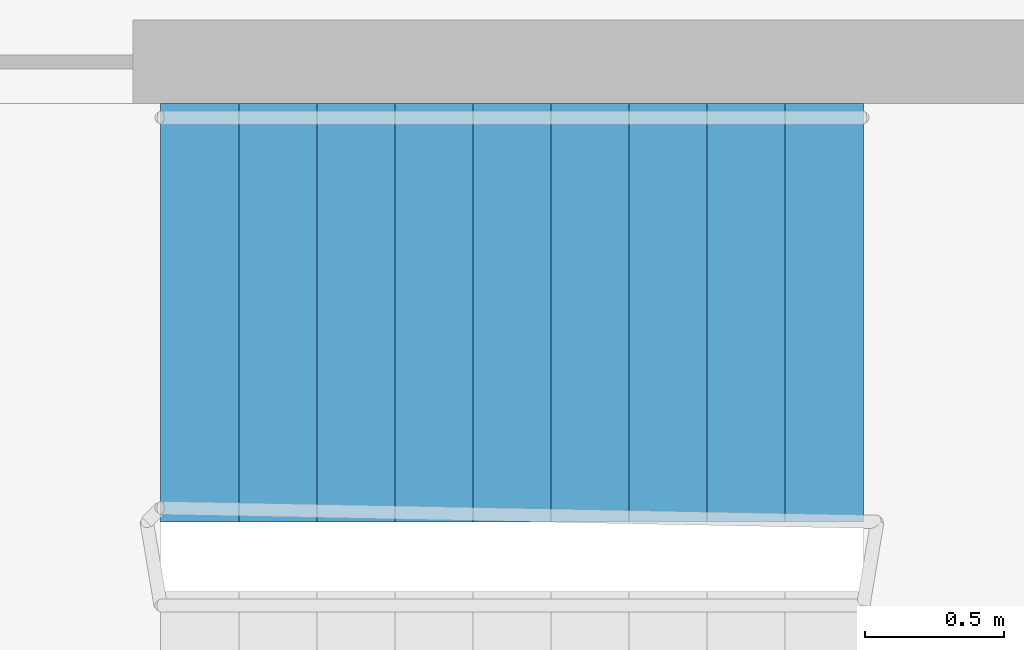
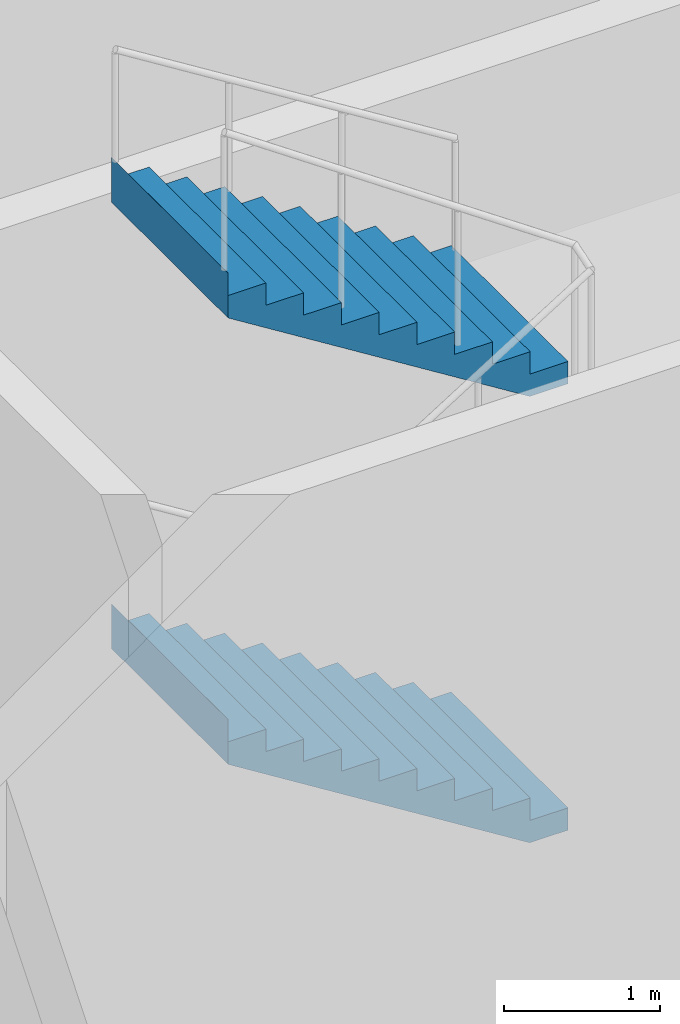
# One storey, part 21 of 23: 2 stair flights, 1 element without a shape of its own.
"""IFC4 building model written with IfcOpenShell, lengths in metres."""

from ifc_helpers import new_model, si_unit, direction, frame, origin, place, context, subcontext, project, spatial, faceted_brep, material, type_object, element, aggregate, save


model = new_model("IFC4")

# Units and contexts
model_context = context("Model", 3, precision=1e-05, world=origin(), true_north=direction((0.0, 1.0)))
body_context = subcontext(model_context, "Body", "Model", "MODEL_VIEW")
ifc_project = project(units=[si_unit("LENGTHUNIT", "METRE"), si_unit("AREAUNIT", "SQUARE_METRE"), si_unit("VOLUMEUNIT", "CUBIC_METRE"), si_unit("PLANEANGLEUNIT", "RADIAN"), si_unit("MASSUNIT", "GRAM", prefix="KILO")], contexts=[model_context])

# Site, building, storey
site_placement = place(None, origin())
site = spatial("IfcSite", under=ifc_project, at=site_placement, CompositionType="ELEMENT")
building_placement = place(site_placement, origin())
building = spatial("IfcBuilding", under=site, at=building_placement, Name="Kajstack Hotel Tower", CompositionType="ELEMENT")
storey_placement = place(building_placement, frame((0.0, 0.0, 53.0)))
storey = spatial("IfcBuildingStorey", under=building, at=storey_placement, Name="L08", CompositionType="ELEMENT", Elevation=53.0)

# Stair, stair flights
ifc_material = material(Name="Concrete C40/50", Category="concrete")
stair_type = type_object("IfcStairType", Name="Exit stair 1500", PredefinedType="HALF_TURN_STAIR", material=ifc_material)
stair_placement = place(storey_placement, origin())
stair = element("IfcStair", 1, at=stair_placement, inside=storey, type_object=stair_type, Name="L08 stair E3", PredefinedType="HALF_TURN_STAIR")
stair_flight_type = type_object("IfcStairFlightType", Name="Exit stair flight 1500", PredefinedType="STRAIGHT", material=ifc_material)
stair_flight_1_placement = place(storey_placement, frame((28.219970703125, 14.449951171875, 1.75), z_axis=(0.0, 0.0, 1.0), x_axis=(-1.0, 0.0, 0.0)))
stair_flight_1 = element("IfcStairFlight", 2, at=stair_flight_1_placement, type_object=stair_flight_type, Name="E3 flight 2", NumberOfRisers=10, NumberOfTreads=9, PredefinedType="STRAIGHT", RiserHeight=0.175, TreadLength=0.28, context=body_context, shape_type="Brep", body=[
    faceted_brep([(0.283447265625, -0.75, 0.0), (2.5205078125, -0.75, 1.398193359375), (2.5205078125, -0.75, 1.75), (2.52001953125, -0.75, 1.75), (2.52001953125, -0.75, 1.574951171875), (2.239990234375, -0.75, 1.574951171875), (2.239990234375, -0.75, 1.39990234375), (1.9599609375, -0.75, 1.39990234375), (1.9599609375, -0.75, 1.22509765625), (1.679931640625, -0.75, 1.22509765625), (1.679931640625, -0.75, 1.050048828125), (1.39990234375, -0.75, 1.050048828125), (1.39990234375, -0.75, 0.875), (1.1201171875, -0.75, 0.875), (1.1201171875, -0.75, 0.699951171875), (0.840087890625, -0.75, 0.699951171875), (0.840087890625, -0.75, 0.52490234375), (0.56005859375, -0.75, 0.52490234375), (0.56005859375, -0.75, 0.35009765625), (0.280029296875, -0.75, 0.35009765625), (0.280029296875, -0.75, 0.175048828125), (-0.00048828125, -0.75, 0.175048828125), (-0.00048828125, -0.75, 0.0), (-0.00048828125, 0.75, 0.0), (-0.00048828125, 0.75, 0.175048828125), (0.280029296875, 0.75, 0.175048828125), (0.280029296875, 0.75, 0.35009765625), (0.56005859375, 0.75, 0.35009765625), (0.56005859375, 0.75, 0.52490234375), (0.840087890625, 0.75, 0.52490234375), (0.840087890625, 0.75, 0.699951171875), (1.1201171875, 0.75, 0.699951171875), (1.1201171875, 0.75, 0.875), (1.39990234375, 0.75, 0.875), (1.39990234375, 0.75, 1.050048828125), (1.679931640625, 0.75, 1.050048828125), (1.679931640625, 0.75, 1.22509765625), (1.9599609375, 0.75, 1.22509765625), (1.9599609375, 0.75, 1.39990234375), (2.239990234375, 0.75, 1.39990234375), (2.239990234375, 0.75, 1.574951171875), (2.52001953125, 0.75, 1.574951171875), (2.52001953125, 0.75, 1.75), (2.5205078125, 0.75, 1.75), (2.5205078125, 0.75, 1.398193359375), (0.283447265625, 0.75, 0.0), (-0.00048828125, -0.375, 0.175048828125), (-0.00048828125, 0.0, 0.175048828125), (-0.00048828125, 0.375, 0.175048828125), (-0.00048828125, 0.375, 0.0), (-0.00048828125, 0.0, 0.0), (-0.00048828125, -0.375, 0.0), (0.280029296875, -0.375, 0.175048828125), (0.280029296875, 0.0, 0.175048828125), (0.280029296875, 0.375, 0.175048828125), (0.280029296875, -0.375, 0.35009765625), (0.280029296875, 0.0, 0.35009765625), (0.280029296875, 0.375, 0.35009765625), (0.56005859375, -0.375, 0.35009765625), (0.56005859375, 0.0, 0.35009765625), (0.56005859375, 0.375, 0.35009765625), (0.56005859375, -0.375, 0.52490234375), (0.56005859375, 0.0, 0.52490234375), (0.56005859375, 0.375, 0.52490234375), (0.840087890625, -0.375, 0.52490234375), (0.840087890625, 0.0, 0.52490234375), (0.840087890625, 0.375, 0.52490234375), (0.840087890625, -0.375, 0.699951171875), (0.840087890625, 0.0, 0.699951171875), (0.840087890625, 0.375, 0.699951171875), (1.1201171875, -0.375, 0.699951171875), (1.1201171875, 0.0, 0.699951171875), (1.1201171875, 0.375, 0.699951171875), (1.1201171875, -0.375, 0.875), (1.1201171875, 0.0, 0.875), (1.1201171875, 0.375, 0.875), (1.39990234375, -0.375, 0.875), (1.39990234375, 0.0, 0.875), (1.39990234375, 0.375, 0.875), (1.39990234375, -0.375, 1.050048828125), (1.39990234375, 0.0, 1.050048828125), (1.39990234375, 0.375, 1.050048828125), (1.679931640625, -0.375, 1.050048828125), (1.679931640625, 0.0, 1.050048828125), (1.679931640625, 0.375, 1.050048828125), (1.679931640625, -0.375, 1.22509765625), (1.679931640625, 0.0, 1.22509765625), (1.679931640625, 0.375, 1.22509765625), (1.9599609375, -0.375, 1.22509765625), (1.9599609375, 0.0, 1.22509765625), (1.9599609375, 0.375, 1.22509765625), (1.9599609375, -0.375, 1.39990234375), (1.9599609375, 0.0, 1.39990234375), (1.9599609375, 0.375, 1.39990234375), (2.239990234375, -0.375, 1.39990234375), (2.239990234375, 0.0, 1.39990234375), (2.239990234375, 0.375, 1.39990234375), (2.239990234375, -0.375, 1.574951171875), (2.239990234375, 0.0, 1.574951171875), (2.239990234375, 0.375, 1.574951171875), (2.52001953125, -0.375, 1.574951171875), (2.52001953125, 0.0, 1.574951171875), (2.52001953125, 0.375, 1.574951171875), (2.52001953125, -0.375, 1.75), (2.52001953125, 0.0, 1.75), (2.52001953125, 0.375, 1.75), (2.5205078125, -0.375, 1.75), (2.5205078125, 0.0, 1.75), (2.5205078125, 0.375, 1.75), (2.5205078125, -0.375, 1.398193359375), (2.5205078125, 0.0, 1.398193359375), (2.5205078125, 0.375, 1.398193359375), (0.283447265625, -0.375, 0.0), (0.283447265625, 0.0, 0.0), (0.283447265625, 0.375, 0.0)], [[[0, 1, 2, 3, 4, 5, 6, 7, 8, 9, 10, 11, 12, 13, 14, 15, 16, 17, 18, 19, 20, 21, 22]], [[23, 24, 25, 26, 27, 28, 29, 30, 31, 32, 33, 34, 35, 36, 37, 38, 39, 40, 41, 42, 43, 44, 45]], [[21, 46, 47, 48, 24, 23, 49, 50, 51, 22]], [[20, 52, 53, 54, 25, 24, 48, 47, 46, 21]], [[19, 55, 56, 57, 26, 25, 54, 53, 52, 20]], [[18, 58, 59, 60, 27, 26, 57, 56, 55, 19]], [[17, 61, 62, 63, 28, 27, 60, 59, 58, 18]], [[16, 64, 65, 66, 29, 28, 63, 62, 61, 17]], [[15, 67, 68, 69, 30, 29, 66, 65, 64, 16]], [[14, 70, 71, 72, 31, 30, 69, 68, 67, 15]], [[13, 73, 74, 75, 32, 31, 72, 71, 70, 14]], [[12, 76, 77, 78, 33, 32, 75, 74, 73, 13]], [[11, 79, 80, 81, 34, 33, 78, 77, 76, 12]], [[10, 82, 83, 84, 35, 34, 81, 80, 79, 11]], [[9, 85, 86, 87, 36, 35, 84, 83, 82, 10]], [[8, 88, 89, 90, 37, 36, 87, 86, 85, 9]], [[7, 91, 92, 93, 38, 37, 90, 89, 88, 8]], [[6, 94, 95, 96, 39, 38, 93, 92, 91, 7]], [[5, 97, 98, 99, 40, 39, 96, 95, 94, 6]], [[4, 100, 101, 102, 41, 40, 99, 98, 97, 5]], [[3, 103, 104, 105, 42, 41, 102, 101, 100, 4]], [[2, 106, 107, 108, 43, 42, 105, 104, 103, 3]], [[1, 109, 110, 111, 44, 43, 108, 107, 106, 2]], [[0, 112, 113, 114, 45, 44, 111, 110, 109, 1]], [[22, 51, 50, 49, 23, 45, 114, 113, 112, 0]]]),
])
stair_flight_2_placement = place(storey_placement, frame((28.219970703125, 14.449951171875, 5.25), z_axis=(0.0, 0.0, 1.0), x_axis=(-1.0, 0.0, 0.0)))
stair_flight_2 = element("IfcStairFlight", 3, at=stair_flight_2_placement, type_object=stair_flight_type, Name="E3 flight 4", NumberOfRisers=10, NumberOfTreads=9, PredefinedType="STRAIGHT", RiserHeight=0.175, TreadLength=0.28, context=body_context, shape_type="Brep", body=[
    faceted_brep([(0.283447265625, -0.75, 0.0), (2.5205078125, -0.75, 1.398193359375), (2.5205078125, -0.75, 1.75), (2.52001953125, -0.75, 1.75), (2.52001953125, -0.75, 1.574951171875), (2.239990234375, -0.75, 1.574951171875), (2.239990234375, -0.75, 1.39990234375), (1.9599609375, -0.75, 1.39990234375), (1.9599609375, -0.75, 1.22509765625), (1.679931640625, -0.75, 1.22509765625), (1.679931640625, -0.75, 1.050048828125), (1.39990234375, -0.75, 1.050048828125), (1.39990234375, -0.75, 0.875), (1.1201171875, -0.75, 0.875), (1.1201171875, -0.75, 0.699951171875), (0.840087890625, -0.75, 0.699951171875), (0.840087890625, -0.75, 0.52490234375), (0.56005859375, -0.75, 0.52490234375), (0.56005859375, -0.75, 0.35009765625), (0.280029296875, -0.75, 0.35009765625), (0.280029296875, -0.75, 0.175048828125), (-0.00048828125, -0.75, 0.175048828125), (-0.00048828125, -0.75, 0.0), (-0.00048828125, 0.75, 0.0), (-0.00048828125, 0.75, 0.175048828125), (0.280029296875, 0.75, 0.175048828125), (0.280029296875, 0.75, 0.35009765625), (0.56005859375, 0.75, 0.35009765625), (0.56005859375, 0.75, 0.52490234375), (0.840087890625, 0.75, 0.52490234375), (0.840087890625, 0.75, 0.699951171875), (1.1201171875, 0.75, 0.699951171875), (1.1201171875, 0.75, 0.875), (1.39990234375, 0.75, 0.875), (1.39990234375, 0.75, 1.050048828125), (1.679931640625, 0.75, 1.050048828125), (1.679931640625, 0.75, 1.22509765625), (1.9599609375, 0.75, 1.22509765625), (1.9599609375, 0.75, 1.39990234375), (2.239990234375, 0.75, 1.39990234375), (2.239990234375, 0.75, 1.574951171875), (2.52001953125, 0.75, 1.574951171875), (2.52001953125, 0.75, 1.75), (2.5205078125, 0.75, 1.75), (2.5205078125, 0.75, 1.398193359375), (0.283447265625, 0.75, 0.0), (-0.00048828125, -0.375, 0.175048828125), (-0.00048828125, 0.0, 0.175048828125), (-0.00048828125, 0.375, 0.175048828125), (-0.00048828125, 0.375, 0.0), (-0.00048828125, 0.0, 0.0), (-0.00048828125, -0.375, 0.0), (0.280029296875, -0.375, 0.175048828125), (0.280029296875, 0.0, 0.175048828125), (0.280029296875, 0.375, 0.175048828125), (0.280029296875, -0.375, 0.35009765625), (0.280029296875, 0.0, 0.35009765625), (0.280029296875, 0.375, 0.35009765625), (0.56005859375, -0.375, 0.35009765625), (0.56005859375, 0.0, 0.35009765625), (0.56005859375, 0.375, 0.35009765625), (0.56005859375, -0.375, 0.52490234375), (0.56005859375, 0.0, 0.52490234375), (0.56005859375, 0.375, 0.52490234375), (0.840087890625, -0.375, 0.52490234375), (0.840087890625, 0.0, 0.52490234375), (0.840087890625, 0.375, 0.52490234375), (0.840087890625, -0.375, 0.699951171875), (0.840087890625, 0.0, 0.699951171875), (0.840087890625, 0.375, 0.699951171875), (1.1201171875, -0.375, 0.699951171875), (1.1201171875, 0.0, 0.699951171875), (1.1201171875, 0.375, 0.699951171875), (1.1201171875, -0.375, 0.875), (1.1201171875, 0.0, 0.875), (1.1201171875, 0.375, 0.875), (1.39990234375, -0.375, 0.875), (1.39990234375, 0.0, 0.875), (1.39990234375, 0.375, 0.875), (1.39990234375, -0.375, 1.050048828125), (1.39990234375, 0.0, 1.050048828125), (1.39990234375, 0.375, 1.050048828125), (1.679931640625, -0.375, 1.050048828125), (1.679931640625, 0.0, 1.050048828125), (1.679931640625, 0.375, 1.050048828125), (1.679931640625, -0.375, 1.22509765625), (1.679931640625, 0.0, 1.22509765625), (1.679931640625, 0.375, 1.22509765625), (1.9599609375, -0.375, 1.22509765625), (1.9599609375, 0.0, 1.22509765625), (1.9599609375, 0.375, 1.22509765625), (1.9599609375, -0.375, 1.39990234375), (1.9599609375, 0.0, 1.39990234375), (1.9599609375, 0.375, 1.39990234375), (2.239990234375, -0.375, 1.39990234375), (2.239990234375, 0.0, 1.39990234375), (2.239990234375, 0.375, 1.39990234375), (2.239990234375, -0.375, 1.574951171875), (2.239990234375, 0.0, 1.574951171875), (2.239990234375, 0.375, 1.574951171875), (2.52001953125, -0.375, 1.574951171875), (2.52001953125, 0.0, 1.574951171875), (2.52001953125, 0.375, 1.574951171875), (2.52001953125, -0.375, 1.75), (2.52001953125, 0.0, 1.75), (2.52001953125, 0.375, 1.75), (2.5205078125, -0.375, 1.75), (2.5205078125, 0.0, 1.75), (2.5205078125, 0.375, 1.75), (2.5205078125, -0.375, 1.398193359375), (2.5205078125, 0.0, 1.398193359375), (2.5205078125, 0.375, 1.398193359375), (0.283447265625, -0.375, 0.0), (0.283447265625, 0.0, 0.0), (0.283447265625, 0.375, 0.0)], [[[0, 1, 2, 3, 4, 5, 6, 7, 8, 9, 10, 11, 12, 13, 14, 15, 16, 17, 18, 19, 20, 21, 22]], [[23, 24, 25, 26, 27, 28, 29, 30, 31, 32, 33, 34, 35, 36, 37, 38, 39, 40, 41, 42, 43, 44, 45]], [[21, 46, 47, 48, 24, 23, 49, 50, 51, 22]], [[20, 52, 53, 54, 25, 24, 48, 47, 46, 21]], [[19, 55, 56, 57, 26, 25, 54, 53, 52, 20]], [[18, 58, 59, 60, 27, 26, 57, 56, 55, 19]], [[17, 61, 62, 63, 28, 27, 60, 59, 58, 18]], [[16, 64, 65, 66, 29, 28, 63, 62, 61, 17]], [[15, 67, 68, 69, 30, 29, 66, 65, 64, 16]], [[14, 70, 71, 72, 31, 30, 69, 68, 67, 15]], [[13, 73, 74, 75, 32, 31, 72, 71, 70, 14]], [[12, 76, 77, 78, 33, 32, 75, 74, 73, 13]], [[11, 79, 80, 81, 34, 33, 78, 77, 76, 12]], [[10, 82, 83, 84, 35, 34, 81, 80, 79, 11]], [[9, 85, 86, 87, 36, 35, 84, 83, 82, 10]], [[8, 88, 89, 90, 37, 36, 87, 86, 85, 9]], [[7, 91, 92, 93, 38, 37, 90, 89, 88, 8]], [[6, 94, 95, 96, 39, 38, 93, 92, 91, 7]], [[5, 97, 98, 99, 40, 39, 96, 95, 94, 6]], [[4, 100, 101, 102, 41, 40, 99, 98, 97, 5]], [[3, 103, 104, 105, 42, 41, 102, 101, 100, 4]], [[2, 106, 107, 108, 43, 42, 105, 104, 103, 3]], [[1, 109, 110, 111, 44, 43, 108, 107, 106, 2]], [[0, 112, 113, 114, 45, 44, 111, 110, 109, 1]], [[22, 51, 50, 49, 23, 45, 114, 113, 112, 0]]]),
])
aggregate(stair, [stair_flight_1, stair_flight_2])

save(model, "model.ifc")
